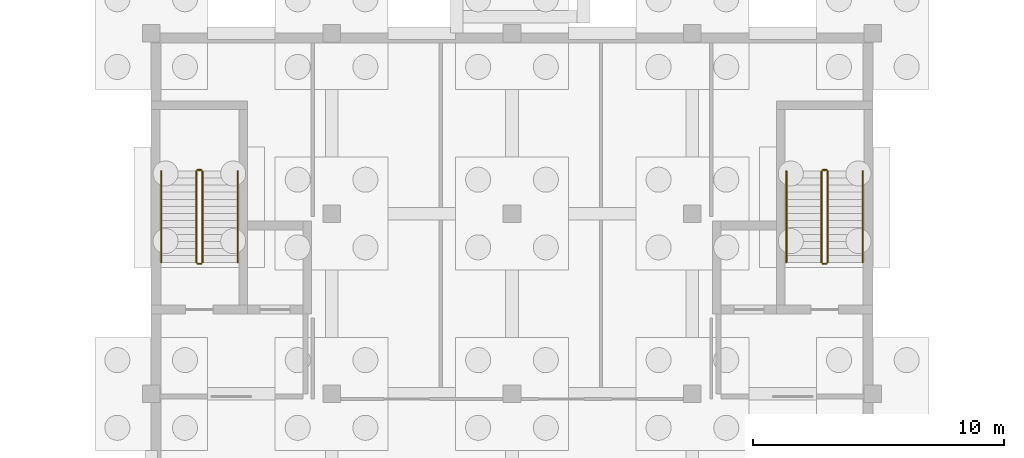
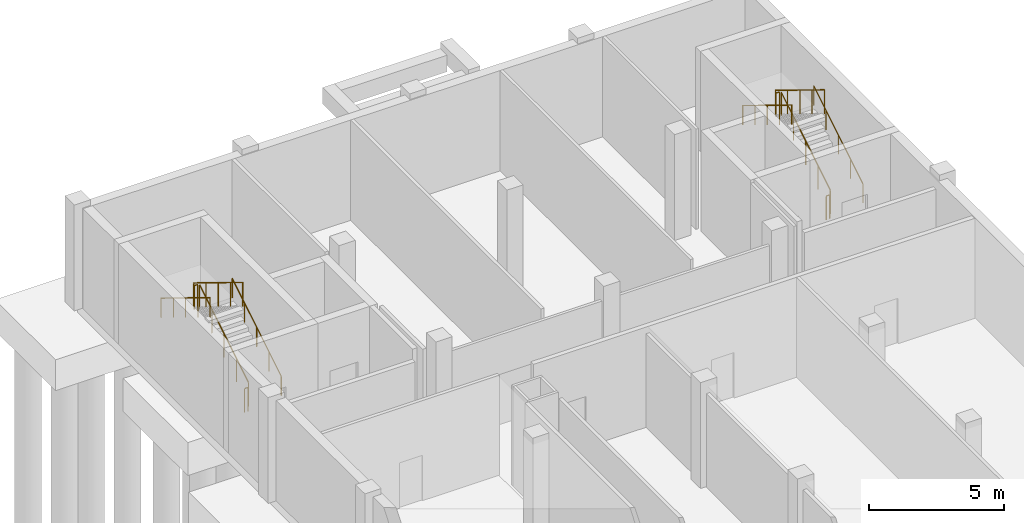
# One storey, part 35 of 35: 12 railings.
"""IFC4 building model written with IfcOpenShell, lengths in metres."""

from ifc_helpers import new_model, si_unit, direction, frame, origin, origin_2d, place, context, subcontext, project, spatial, circle, extrude, material, layer, layer_set, type_object, element, save


model = new_model("IFC4")

# Units and contexts
model_context = context("Model", 3, precision=1e-05, world=origin(), true_north=direction((0.0, 1.0)))
body_context = subcontext(model_context, "Body", "Model", "MODEL_VIEW")
ifc_project = project(units=[si_unit("LENGTHUNIT", "METRE"), si_unit("AREAUNIT", "SQUARE_METRE"), si_unit("VOLUMEUNIT", "CUBIC_METRE"), si_unit("PLANEANGLEUNIT", "RADIAN"), si_unit("MASSUNIT", "GRAM", prefix="KILO")], contexts=[model_context])

# Site, building, storey
site_placement = place(None, origin())
site = spatial("IfcSite", under=ifc_project, at=site_placement, CompositionType="ELEMENT")
building_placement = place(site_placement, origin())
building = spatial("IfcBuilding", under=site, at=building_placement, Name="Zarrinpeak Specialist Clinic", CompositionType="ELEMENT")
storey_placement = place(building_placement, frame((0.0, 0.0, -4.800048828125)))
storey = spatial("IfcBuildingStorey", under=building, at=storey_placement, Name="B01", CompositionType="ELEMENT", Elevation=-4.800048828125)

# Railings
ifc_material_1 = material(Name="Laminated Safety Glass and Stainless Steel 316", Category="steel")
ifc_layer_1 = layer(ifc_material_1, 0.06005859375)
ifc_layer_set_1 = layer_set([ifc_layer_1], Name="Laminated Safety Glass and Stainless Steel 316")
railing_type_1 = type_object("IfcRailingType", Name="RL-GRD115", PredefinedType="GUARDRAIL", material=ifc_layer_set_1)
railing_1_placement = place(storey_placement, frame((38.050048828125, 108.85009765625, 0.17138671875)))
element("IfcRailing", 1, at=railing_1_placement, inside=storey, type_object=railing_type_1, Name="B01 ST-11 stair guard 1", PredefinedType="GUARDRAIL", context=body_context, shape_type="SweptSolid", body=[
    extrude(circle(Radius=0.02392578125, at=origin_2d()), frame((0.0, 0.0, 1.076171875), z_axis=(0.0, 0.852824790078, 0.522197163366), x_axis=(-1.0, 0.0, 0.0)), (0.0, 0.0, 1.0), 4.26806640625),
    extrude(circle(Radius=0.02099609375, at=origin_2d()), origin(), (0.0, 0.0, 1.0), 1.052001953125),
    extrude(circle(Radius=0.02099609375, at=origin_2d()), frame((0.0, 0.909912109375, 0.55712890625)), (0.0, 0.0, 1.0), 1.052001953125),
    extrude(circle(Radius=0.02099609375, at=origin_2d()), frame((0.0, 1.81982421875, 1.1142578125)), (0.0, 0.0, 1.0), 1.052001953125),
    extrude(circle(Radius=0.02099609375, at=origin_2d()), frame((0.0, 2.72998046875, 1.671630859375)), (0.0, 0.0, 1.0), 1.052001953125),
    extrude(circle(Radius=0.02099609375, at=origin_2d()), frame((0.0, 3.639892578125, 2.228759765625)), (0.0, 0.0, 1.0), 1.052001953125),
])
railing_2_placement = place(storey_placement, frame((38.0, 112.5400390625, 2.400146484375)))
element("IfcRailing", 2, at=railing_2_placement, inside=storey, type_object=railing_type_1, Name="B01 ST-11 stair guard 2", PredefinedType="GUARDRAIL", context=body_context, shape_type="SweptSolid", body=[
    extrude(circle(Radius=0.02392578125, at=origin_2d()), frame((0.0, 0.0, 1.076171875), z_axis=(-1.0, 0.0, 0.0), x_axis=(0.0, -1.0, 0.0)), (0.0, 0.0, 1.0), 0.14990234375),
    extrude(circle(Radius=0.02099609375, at=origin_2d()), origin(), (0.0, 0.0, 1.0), 1.052001953125),
    extrude(circle(Radius=0.02099609375, at=origin_2d()), frame((-0.14990234375, 0.0, 0.0)), (0.0, 0.0, 1.0), 1.052001953125),
])
railing_3_placement = place(storey_placement, frame((37.800048828125, 112.489990234375, 2.571533203125)))
element("IfcRailing", 3, at=railing_3_placement, inside=storey, type_object=railing_type_1, Name="B01 ST-11 stair guard 3", PredefinedType="GUARDRAIL", context=body_context, shape_type="SweptSolid", body=[
    extrude(circle(Radius=0.02392578125, at=origin_2d()), frame((0.0, 0.0, 1.076171875), z_axis=(0.0, -0.852850264322, 0.5221555579), x_axis=(1.0, 0.0, 0.0)), (0.0, 0.0, 1.0), 4.267822265625),
    extrude(circle(Radius=0.02099609375, at=origin_2d()), origin(), (0.0, 0.0, 1.0), 1.052001953125),
    extrude(circle(Radius=0.02099609375, at=origin_2d()), frame((0.0, -0.909912109375, 0.55712890625)), (0.0, 0.0, 1.0), 1.052001953125),
    extrude(circle(Radius=0.02099609375, at=origin_2d()), frame((0.0, -1.81982421875, 1.1142578125)), (0.0, 0.0, 1.0), 1.052001953125),
    extrude(circle(Radius=0.02099609375, at=origin_2d()), frame((0.0, -2.72998046875, 1.67138671875)), (0.0, 0.0, 1.0), 1.052001953125),
    extrude(circle(Radius=0.02099609375, at=origin_2d()), frame((0.0, -3.639892578125, 2.228515625)), (0.0, 0.0, 1.0), 1.052001953125),
])
railing_4_placement = place(storey_placement, frame((38.0, 108.800048828125, 0.0)))
element("IfcRailing", 4, at=railing_4_placement, inside=storey, type_object=railing_type_1, Name="B01 ST-11 stair guard 4", PredefinedType="GUARDRAIL", context=body_context, shape_type="SweptSolid", body=[
    extrude(circle(Radius=0.02392578125, at=origin_2d()), frame((0.0, 0.0, 1.076171875), z_axis=(-1.0, 0.0, 0.0), x_axis=(0.0, -1.0, 0.0)), (0.0, 0.0, 1.0), 0.14990234375),
    extrude(circle(Radius=0.02099609375, at=origin_2d()), origin(), (0.0, 0.0, 1.0), 1.052001953125),
    extrude(circle(Radius=0.02099609375, at=origin_2d()), frame((-0.14990234375, 0.0, 0.0)), (0.0, 0.0, 1.0), 1.052001953125),
])
railing_5_placement = place(storey_placement, frame((63.0, 108.85009765625, 0.17138671875)))
element("IfcRailing", 5, at=railing_5_placement, inside=storey, type_object=railing_type_1, Name="B01 ST-12 stair guard 1", PredefinedType="GUARDRAIL", context=body_context, shape_type="SweptSolid", body=[
    extrude(circle(Radius=0.02392578125, at=origin_2d()), frame((0.0, 0.0, 1.076171875), z_axis=(0.0, 0.852824790078, 0.522197163366), x_axis=(-1.0, 0.0, 0.0)), (0.0, 0.0, 1.0), 4.26806640625),
    extrude(circle(Radius=0.02099609375, at=origin_2d()), origin(), (0.0, 0.0, 1.0), 1.052001953125),
    extrude(circle(Radius=0.02099609375, at=origin_2d()), frame((0.0, 0.909912109375, 0.55712890625)), (0.0, 0.0, 1.0), 1.052001953125),
    extrude(circle(Radius=0.02099609375, at=origin_2d()), frame((0.0, 1.81982421875, 1.1142578125)), (0.0, 0.0, 1.0), 1.052001953125),
    extrude(circle(Radius=0.02099609375, at=origin_2d()), frame((0.0, 2.72998046875, 1.671630859375)), (0.0, 0.0, 1.0), 1.052001953125),
    extrude(circle(Radius=0.02099609375, at=origin_2d()), frame((0.0, 3.639892578125, 2.228759765625)), (0.0, 0.0, 1.0), 1.052001953125),
])
railing_6_placement = place(storey_placement, frame((62.949951171875, 112.5400390625, 2.400146484375)))
element("IfcRailing", 6, at=railing_6_placement, inside=storey, type_object=railing_type_1, Name="B01 ST-12 stair guard 2", PredefinedType="GUARDRAIL", context=body_context, shape_type="SweptSolid", body=[
    extrude(circle(Radius=0.02392578125, at=origin_2d()), frame((0.0, 0.0, 1.076171875), z_axis=(-1.0, 0.0, 0.0), x_axis=(0.0, -1.0, 0.0)), (0.0, 0.0, 1.0), 0.14990234375),
    extrude(circle(Radius=0.02099609375, at=origin_2d()), origin(), (0.0, 0.0, 1.0), 1.052001953125),
    extrude(circle(Radius=0.02099609375, at=origin_2d()), frame((-0.14990234375, 0.0, 0.0)), (0.0, 0.0, 1.0), 1.052001953125),
])
railing_7_placement = place(storey_placement, frame((62.75, 112.489990234375, 2.571533203125)))
element("IfcRailing", 7, at=railing_7_placement, inside=storey, type_object=railing_type_1, Name="B01 ST-12 stair guard 3", PredefinedType="GUARDRAIL", context=body_context, shape_type="SweptSolid", body=[
    extrude(circle(Radius=0.02392578125, at=origin_2d()), frame((0.0, 0.0, 1.076171875), z_axis=(0.0, -0.852850264322, 0.5221555579), x_axis=(1.0, 0.0, 0.0)), (0.0, 0.0, 1.0), 4.267822265625),
    extrude(circle(Radius=0.02099609375, at=origin_2d()), origin(), (0.0, 0.0, 1.0), 1.052001953125),
    extrude(circle(Radius=0.02099609375, at=origin_2d()), frame((0.0, -0.909912109375, 0.55712890625)), (0.0, 0.0, 1.0), 1.052001953125),
    extrude(circle(Radius=0.02099609375, at=origin_2d()), frame((0.0, -1.81982421875, 1.1142578125)), (0.0, 0.0, 1.0), 1.052001953125),
    extrude(circle(Radius=0.02099609375, at=origin_2d()), frame((0.0, -2.72998046875, 1.67138671875)), (0.0, 0.0, 1.0), 1.052001953125),
    extrude(circle(Radius=0.02099609375, at=origin_2d()), frame((0.0, -3.639892578125, 2.228515625)), (0.0, 0.0, 1.0), 1.052001953125),
])
railing_8_placement = place(storey_placement, frame((62.949951171875, 108.800048828125, 0.0)))
element("IfcRailing", 8, at=railing_8_placement, inside=storey, type_object=railing_type_1, Name="B01 ST-12 stair guard 4", PredefinedType="GUARDRAIL", context=body_context, shape_type="SweptSolid", body=[
    extrude(circle(Radius=0.02392578125, at=origin_2d()), frame((0.0, 0.0, 1.076171875), z_axis=(-1.0, 0.0, 0.0), x_axis=(0.0, -1.0, 0.0)), (0.0, 0.0, 1.0), 0.14990234375),
    extrude(circle(Radius=0.02099609375, at=origin_2d()), origin(), (0.0, 0.0, 1.0), 1.052001953125),
    extrude(circle(Radius=0.02099609375, at=origin_2d()), frame((-0.14990234375, 0.0, 0.0)), (0.0, 0.0, 1.0), 1.052001953125),
])
ifc_material_2 = material(Name="Brushed Stainless Steel 316 Handrail", Category="steel")
ifc_layer_2 = layer(ifc_material_2, 0.050048828125)
ifc_layer_set_2 = layer_set([ifc_layer_2], Name="Brushed Stainless Steel 316 Handrail")
railing_type_2 = type_object("IfcRailingType", Name="RL-HND92", PredefinedType="HANDRAIL", material=ifc_layer_set_2)
railing_9_placement = place(storey_placement, frame((39.449951171875, 108.85009765625, 0.17138671875)))
element("IfcRailing", 9, at=railing_9_placement, inside=storey, type_object=railing_type_2, Name="B01 ST-11 stair handrail 1", PredefinedType="HANDRAIL", context=body_context, shape_type="SweptSolid", body=[
    extrude(circle(Radius=0.02392578125, at=origin_2d()), frame((0.0, 0.0, 0.8759765625), z_axis=(0.0, 0.852824790078, 0.522197163366), x_axis=(-1.0, 0.0, 0.0)), (0.0, 0.0, 1.0), 4.26806640625),
    extrude(circle(Radius=0.02099609375, at=origin_2d()), origin(), (0.0, 0.0, 1.0), 0.851806640625),
    extrude(circle(Radius=0.02099609375, at=origin_2d()), frame((0.0, 0.909912109375, 0.55712890625)), (0.0, 0.0, 1.0), 0.851806640625),
    extrude(circle(Radius=0.02099609375, at=origin_2d()), frame((0.0, 1.81982421875, 1.1142578125)), (0.0, 0.0, 1.0), 0.851806640625),
    extrude(circle(Radius=0.02099609375, at=origin_2d()), frame((0.0, 2.72998046875, 1.671630859375)), (0.0, 0.0, 1.0), 0.851806640625),
    extrude(circle(Radius=0.02099609375, at=origin_2d()), frame((0.0, 3.639892578125, 2.228759765625)), (0.0, 0.0, 1.0), 0.851806640625),
])
railing_10_placement = place(storey_placement, frame((36.39990234375, 112.489990234375, 2.571533203125)))
element("IfcRailing", 10, at=railing_10_placement, inside=storey, type_object=railing_type_2, Name="B01 ST-11 stair handrail 2", PredefinedType="HANDRAIL", context=body_context, shape_type="SweptSolid", body=[
    extrude(circle(Radius=0.02392578125, at=origin_2d()), frame((0.0, 0.0, 0.8759765625), z_axis=(0.0, -0.852850264322, 0.5221555579), x_axis=(1.0, 0.0, 0.0)), (0.0, 0.0, 1.0), 4.267822265625),
    extrude(circle(Radius=0.02099609375, at=origin_2d()), origin(), (0.0, 0.0, 1.0), 0.851806640625),
    extrude(circle(Radius=0.02099609375, at=origin_2d()), frame((0.0, -0.909912109375, 0.55712890625)), (0.0, 0.0, 1.0), 0.851806640625),
    extrude(circle(Radius=0.02099609375, at=origin_2d()), frame((0.0, -1.81982421875, 1.1142578125)), (0.0, 0.0, 1.0), 0.851806640625),
    extrude(circle(Radius=0.02099609375, at=origin_2d()), frame((0.0, -2.72998046875, 1.67138671875)), (0.0, 0.0, 1.0), 0.851806640625),
    extrude(circle(Radius=0.02099609375, at=origin_2d()), frame((0.0, -3.639892578125, 2.228515625)), (0.0, 0.0, 1.0), 0.851806640625),
])
railing_11_placement = place(storey_placement, frame((64.39990234375, 108.85009765625, 0.17138671875)))
element("IfcRailing", 11, at=railing_11_placement, inside=storey, type_object=railing_type_2, Name="B01 ST-12 stair handrail 1", PredefinedType="HANDRAIL", context=body_context, shape_type="SweptSolid", body=[
    extrude(circle(Radius=0.02392578125, at=origin_2d()), frame((0.0, 0.0, 0.8759765625), z_axis=(0.0, 0.852824790078, 0.522197163366), x_axis=(-1.0, 0.0, 0.0)), (0.0, 0.0, 1.0), 4.26806640625),
    extrude(circle(Radius=0.02099609375, at=origin_2d()), origin(), (0.0, 0.0, 1.0), 0.851806640625),
    extrude(circle(Radius=0.02099609375, at=origin_2d()), frame((0.0, 0.909912109375, 0.55712890625)), (0.0, 0.0, 1.0), 0.851806640625),
    extrude(circle(Radius=0.02099609375, at=origin_2d()), frame((0.0, 1.81982421875, 1.1142578125)), (0.0, 0.0, 1.0), 0.851806640625),
    extrude(circle(Radius=0.02099609375, at=origin_2d()), frame((0.0, 2.72998046875, 1.671630859375)), (0.0, 0.0, 1.0), 0.851806640625),
    extrude(circle(Radius=0.02099609375, at=origin_2d()), frame((0.0, 3.639892578125, 2.228759765625)), (0.0, 0.0, 1.0), 0.851806640625),
])
railing_12_placement = place(storey_placement, frame((61.35009765625, 112.489990234375, 2.571533203125)))
element("IfcRailing", 12, at=railing_12_placement, inside=storey, type_object=railing_type_2, Name="B01 ST-12 stair handrail 2", PredefinedType="HANDRAIL", context=body_context, shape_type="SweptSolid", body=[
    extrude(circle(Radius=0.02392578125, at=origin_2d()), frame((0.0, 0.0, 0.8759765625), z_axis=(0.0, -0.852850264322, 0.5221555579), x_axis=(1.0, 0.0, 0.0)), (0.0, 0.0, 1.0), 4.267822265625),
    extrude(circle(Radius=0.02099609375, at=origin_2d()), origin(), (0.0, 0.0, 1.0), 0.851806640625),
    extrude(circle(Radius=0.02099609375, at=origin_2d()), frame((0.0, -0.909912109375, 0.55712890625)), (0.0, 0.0, 1.0), 0.851806640625),
    extrude(circle(Radius=0.02099609375, at=origin_2d()), frame((0.0, -1.81982421875, 1.1142578125)), (0.0, 0.0, 1.0), 0.851806640625),
    extrude(circle(Radius=0.02099609375, at=origin_2d()), frame((0.0, -2.72998046875, 1.67138671875)), (0.0, 0.0, 1.0), 0.851806640625),
    extrude(circle(Radius=0.02099609375, at=origin_2d()), frame((0.0, -3.639892578125, 2.228515625)), (0.0, 0.0, 1.0), 0.851806640625),
])

save(model, "model.ifc")
